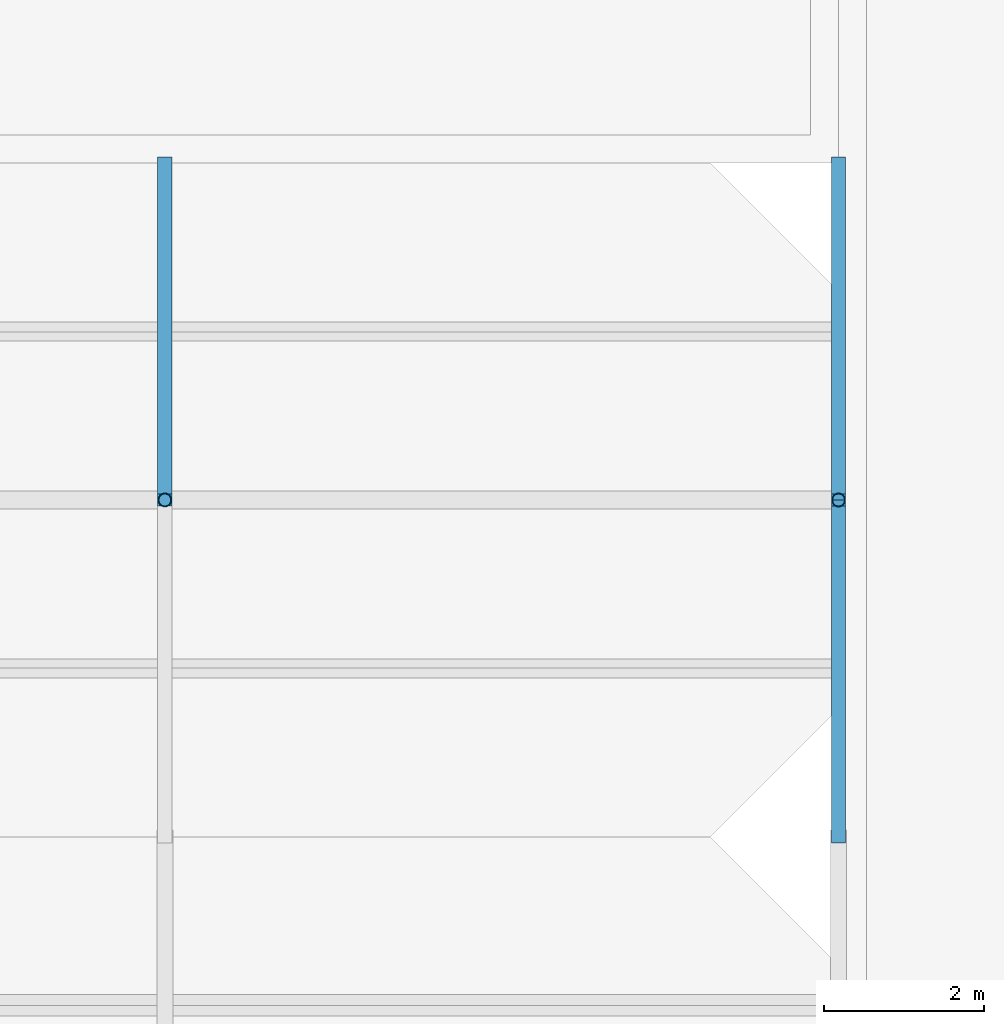
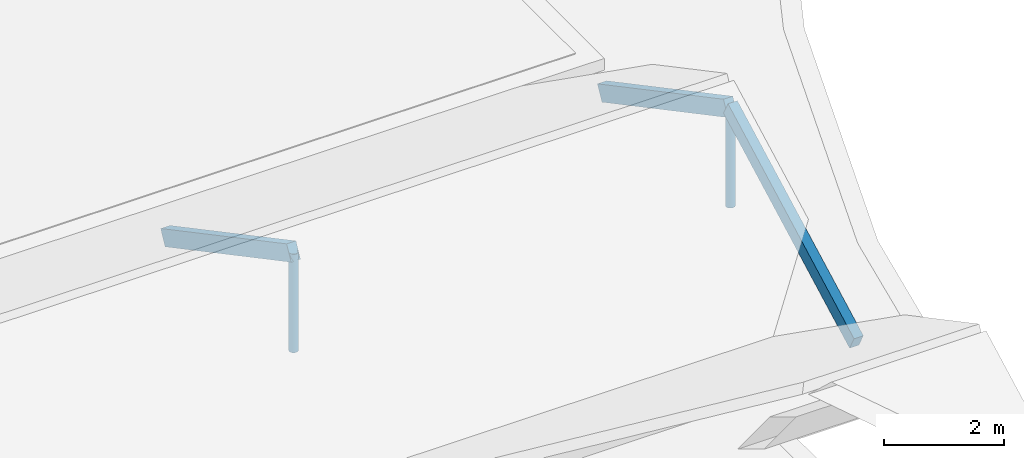
# One storey, part 37 of 82: 5 members.
"""IFC4 building model written with IfcOpenShell, lengths in metres."""

from ifc_helpers import new_model, si_unit, direction, frame, origin, origin_2d, place, context, subcontext, project, spatial, rectangle, hollow_circle, extrude, material, material_profile, profile_set, type_object, element, save


model = new_model("IFC4")

# Units and contexts
model_context = context("Model", 3, precision=1e-05, world=origin(), true_north=direction((0.0, 1.0)))
body_context = subcontext(model_context, "Body", "Model", "MODEL_VIEW")
ifc_project = project(units=[si_unit("LENGTHUNIT", "METRE"), si_unit("AREAUNIT", "SQUARE_METRE"), si_unit("VOLUMEUNIT", "CUBIC_METRE"), si_unit("PLANEANGLEUNIT", "RADIAN"), si_unit("MASSUNIT", "GRAM", prefix="KILO")], contexts=[model_context])

# Site, building, storey
site_placement = place(None, origin())
site = spatial("IfcSite", under=ifc_project, at=site_placement, CompositionType="ELEMENT")
building_placement = place(site_placement, origin())
building = spatial("IfcBuilding", under=site, at=building_placement, Name="Bramfleet General Hospital", CompositionType="ELEMENT")
storey_placement = place(building_placement, frame((0.0, 0.0, 34.199951171875)))
storey = spatial("IfcBuildingStorey", under=building, at=storey_placement, Name="Roof", CompositionType="ELEMENT", Elevation=34.199951171875)

# Members
ifc_material_1 = material(Name="Structural timber GL28h", Category="wood")
ifc_material_profile_1 = material_profile(ifc_material_1, rectangle(XDim=0.179931640625, YDim=0.320068359375, at=origin_2d()), Name="GL28h 320x180")
ifc_profile_set_1 = profile_set([ifc_material_profile_1], Name="Structural timber GL28h")
member_type_1 = type_object("IfcMemberType", Name="MEM-RF-GL320", PredefinedType="RAFTER", material=ifc_profile_set_1)
for number, where, z_axis, x_axis, name in (
    (1, (109.199951171875, 37.800048828125, 1.561279296875), (0.0, 0.882947536541, -0.469471668705), (-1.0, 0.0, 0.0), "Patient House PH-10 North Glulam Rafter 2"),
    (2, (117.60009765625, 33.60009765625, -0.671875), (0.0, 0.882947536541, 0.469471668705), (-1.0, 0.0, 0.0), "Patient House PH-10 South Glulam Rafter 3"),
    (3, (117.60009765625, 37.800048828125, 1.561279296875), (0.0, 0.882947536541, -0.469471668705), (-1.0, 0.0, 0.0), "Patient House PH-10 North Glulam Rafter 3"),
):
    element("IfcMember", number, at=place(storey_placement, frame(where, z_axis=z_axis, x_axis=x_axis)), inside=storey, type_object=member_type_1, Name=name, PredefinedType="RAFTER", context=body_context, shape_type="SweptSolid", body=[
        extrude(rectangle(XDim=0.179931640625, YDim=0.320068359375, at=origin_2d()), origin(), (0.0, 0.0, 1.0), 4.7568359375),
    ])
ifc_material_2 = material(Name="Steel S355", Category="steel")
ifc_material_profile_2 = material_profile(ifc_material_2, hollow_circle(Radius=0.084228515625, WallThickness=0.008056640625, at=origin_2d()), Name="CHS 168.3x8.0")
ifc_profile_set_2 = profile_set([ifc_material_profile_2], Name="Steel S355")
member_type_2 = type_object("IfcMemberType", Name="MEM-SF-DG1", PredefinedType="STRUT", material=ifc_profile_set_2)
for number, where, z_axis, x_axis, name in (
    (4, (109.199951171875, 37.800048828125, -0.43994140625), (0.0, 0.0, 1.0), (1.0, 0.0, 0.0), "Patient House PH-10 Ridge Timber Post 2"),
    (5, (117.60009765625, 37.800048828125, -0.43994140625), (0.0, 0.0, 1.0), (1.0, 0.0, 0.0), "Patient House PH-10 Ridge Timber Post 3"),
):
    element("IfcMember", number, at=place(storey_placement, frame(where, z_axis=z_axis, x_axis=x_axis)), inside=storey, type_object=member_type_2, Name=name, PredefinedType="STRUT", context=body_context, shape_type="SweptSolid", body=[
        extrude(hollow_circle(Radius=0.084228515625, WallThickness=0.008056640625, at=origin_2d()), origin(), (0.0, 0.0, 1.0), 2.001220703125),
    ])

save(model, "model.ifc")
